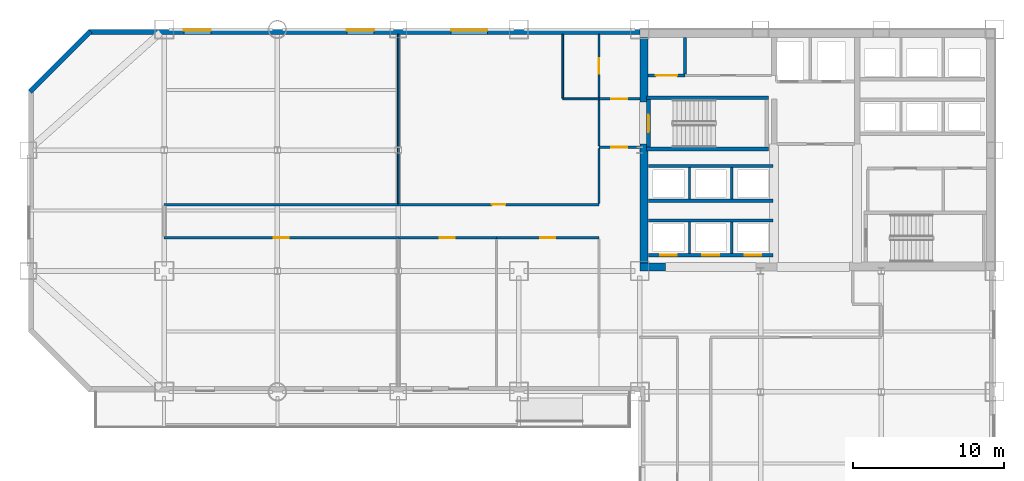
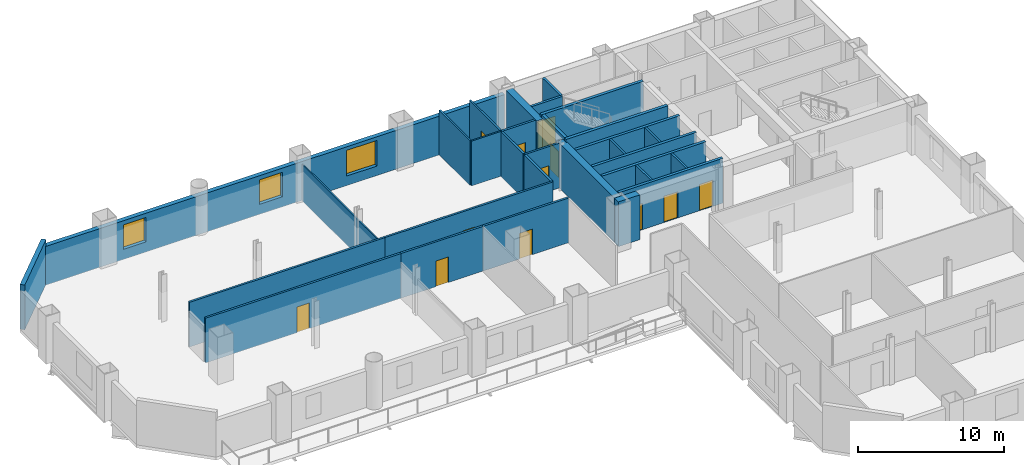
# One storey, part 6 of 9: 31 walls, 12 doors, 3 windows, 15 openings.
"""IFC4 building model written with IfcOpenShell, lengths in metres."""

from ifc_helpers import new_model, si_unit, direction, frame, frame_2d, origin, place, context, subcontext, project, spatial, rectangle, extrude, material, layer, layer_set, type_object, element, fill, save


model = new_model("IFC4")

# Units and contexts
model_context = context("Model", 3, precision=1e-05, world=origin(), true_north=direction((0.0, 1.0)))
body_context = subcontext(model_context, "Body", "Model", "MODEL_VIEW")
ifc_project = project(units=[si_unit("LENGTHUNIT", "METRE"), si_unit("AREAUNIT", "SQUARE_METRE"), si_unit("VOLUMEUNIT", "CUBIC_METRE"), si_unit("PLANEANGLEUNIT", "RADIAN"), si_unit("MASSUNIT", "GRAM", prefix="KILO")], contexts=[model_context])

# Site, building, storey
site_placement = place(None, origin())
site = spatial("IfcSite", under=ifc_project, at=site_placement, CompositionType="ELEMENT")
building_placement = place(site_placement, origin())
building = spatial("IfcBuilding", under=site, at=building_placement, Name="Qianrong Seaharbour Tower", CompositionType="ELEMENT")
storey_placement = place(building_placement, frame((0.0, 0.0, 64.199951171875)))
storey = spatial("IfcBuildingStorey", under=building, at=storey_placement, Name="L15", CompositionType="ELEMENT", Elevation=64.199951171875)

# Walls
ifc_material_1 = material(Name="Concrete C70/85", Category="concrete")
ifc_layer_1 = layer(ifc_material_1, 0.5400390625)
ifc_layer_set_1 = layer_set([ifc_layer_1], Name="Concrete C70/85")
wall_type_1 = type_object("IfcWallType", Name="WALL-CORE-540", PredefinedType="SHEAR", material=ifc_layer_set_1)
wall_1_placement = place(storey_placement, frame((40.77001953125, 36.5400390625, 0.0), z_axis=(0.0, 0.0, 1.0), x_axis=(0.0, 1.0, 0.0)))
element("IfcWall", 1, at=wall_1_placement, inside=storey, type_object=wall_type_1, Name="L15 West Core Shear Wall South", PredefinedType="SHEAR", context=body_context, shape_type="SweptSolid", body=[
    extrude(rectangle(XDim=7.85986328125, YDim=0.5400390625, at=frame_2d((3.929931640625, 0.0))), origin(), (0.0, 0.0, 1.0), 3.75),
])
wall_2_placement = place(storey_placement, frame((40.77001953125, 47.199951171875, 0.0), z_axis=(0.0, 0.0, 1.0), x_axis=(0.0, 1.0, 0.0)))
element("IfcWall", 2, at=wall_2_placement, inside=storey, type_object=wall_type_1, Name="L15 West Core Shear Wall North", PredefinedType="SHEAR", context=body_context, shape_type="SweptSolid", body=[
    extrude(rectangle(XDim=4.260009765625, YDim=0.5400390625, at=frame_2d((2.1298828125, 0.0))), origin(), (0.0, 0.0, 1.0), 3.75),
])
wall_3_placement = place(storey_placement, frame((40.5, 36.27001953125, 0.0), z_axis=(0.0, 0.0, 1.0), x_axis=(1.0, 0.0, 0.0)))
element("IfcWall", 3, at=wall_3_placement, inside=storey, type_object=wall_type_1, Name="L15 South Core Shear Wall S1", PredefinedType="SHEAR", context=body_context, shape_type="SweptSolid", body=[
    extrude(rectangle(XDim=1.699951171875, YDim=0.5400390625, at=frame_2d((0.85009765625, 0.0))), origin(), (0.0, 0.0, 1.0), 3.75),
])

# Wall, opening, door
ifc_material_2 = material(Name="Fire-rated acoustic gypsum board partition")
ifc_layer_2 = layer(ifc_material_2, 0.1650390625)
ifc_layer_set_2 = layer_set([ifc_layer_2], Name="Fire-rated acoustic gypsum board partition")
wall_type_2 = type_object("IfcWallType", Name="WALL-CORR-PART-165", PredefinedType="PARTITIONING", material=ifc_layer_set_2)
wall_4_placement = place(storey_placement, frame((37.800048828125, 47.39990234375, 0.0), z_axis=(0.0, 0.0, 1.0), x_axis=(1.0, 0.0, 0.0)))
wall_4 = element("IfcWall", 4, at=wall_4_placement, inside=storey, type_object=wall_type_2, Name="L15 Interior Partition Wall 001", PredefinedType="PARTITIONING", context=body_context, shape_type="SweptSolid", body=[
    extrude(rectangle(XDim=2.699951171875, YDim=0.1650390625, at=frame_2d((1.35009765625, 0.0))), origin(), (0.0, 0.0, 1.0), 3.75),
])
opening_1_placement = place(wall_4_placement, frame((0.824951171875, 0.0, 0.0)))
opening_1 = element("IfcOpeningElement", 5, at=opening_1_placement, cuts=wall_4, Name="Opening DC-01", PredefinedType="OPENING", context=body_context, shape_type="SweptSolid", body=[
    extrude(rectangle(XDim=1.050048828125, YDim=2.14990234375, at=frame_2d((0.52490234375, 1.074951171875))), frame((0.0, 0.092529296875, 0.0), z_axis=(0.0, -1.0, 0.0), x_axis=(1.0, 0.0, 0.0)), (0.0, 0.0, 1.0), 0.18505859375),
])
ifc_material_3 = material(Name="Acoustic timber and galvanized steel fire door assembly", Category="steel")
door_type_1 = type_object("IfcDoorType", Name="DOOR-CORR-FD60-1050x2150", OperationType="NOTDEFINED", PredefinedType="DOOR", material=ifc_material_3)
door_1_placement = place(opening_1_placement, origin())
door_1 = element("IfcDoor", 6, at=door_1_placement, inside=storey, type_object=door_type_1, Name="L15 Smokeproof Stair Vestibule ST-1 Door", OperationType="SINGLE_SWING_LEFT", OverallHeight=2.14990234375, OverallWidth=1.050048828125, PredefinedType="DOOR", context=body_context, shape_type="SweptSolid", body=[
    extrude(rectangle(XDim=1.050048828125, YDim=2.14990234375, at=frame_2d((0.52490234375, 1.074951171875))), frame((0.0, 0.02490234375, 0.0), z_axis=(0.0, -1.0, 0.0), x_axis=(1.0, 0.0, 0.0)), (0.0, 0.0, 1.0), 0.050048828125),
])
fill(opening_1, door_1)

wall_5_placement = place(storey_placement, frame((40.5, 44.199951171875, 0.0), z_axis=(0.0, 0.0, 1.0), x_axis=(-1.0, 0.0, 0.0)))
wall_5 = element("IfcWall", 7, at=wall_5_placement, inside=storey, type_object=wall_type_2, Name="L15 Interior Partition Wall 002", PredefinedType="PARTITIONING", context=body_context, shape_type="SweptSolid", body=[
    extrude(rectangle(XDim=2.699951171875, YDim=0.1650390625, at=frame_2d((1.35009765625, 0.0))), origin(), (0.0, 0.0, 1.0), 3.75),
])
opening_2_placement = place(wall_5_placement, frame((0.824951171875, 0.0, 0.0)))
opening_2 = element("IfcOpeningElement", 8, at=opening_2_placement, cuts=wall_5, Name="Opening DC-01", PredefinedType="OPENING", context=body_context, shape_type="SweptSolid", body=[
    extrude(rectangle(XDim=1.050048828125, YDim=2.14990234375, at=frame_2d((0.52490234375, 1.074951171875))), frame((0.0, 0.092529296875, 0.0), z_axis=(0.0, -1.0, 0.0), x_axis=(1.0, 0.0, 0.0)), (0.0, 0.0, 1.0), 0.18505859375),
])
door_2_placement = place(opening_2_placement, origin())
door_2 = element("IfcDoor", 9, at=door_2_placement, inside=storey, type_object=door_type_1, Name="L15 Smokeproof Stair Vestibule ST-1 Door", OperationType="SINGLE_SWING_RIGHT", OverallHeight=2.14990234375, OverallWidth=1.050048828125, PredefinedType="DOOR", context=body_context, shape_type="SweptSolid", body=[
    extrude(rectangle(XDim=1.050048828125, YDim=2.14990234375, at=frame_2d((0.52490234375, 1.074951171875))), frame((0.0, 0.02490234375, 0.0), z_axis=(0.0, -1.0, 0.0), x_axis=(1.0, 0.0, 0.0)), (0.0, 0.0, 1.0), 0.050048828125),
])
fill(opening_2, door_2)

# Wall
wall_6_placement = place(storey_placement, frame((37.800048828125, 44.2744140625, 0.0), z_axis=(0.0, 0.0, 1.0), x_axis=(0.0, 1.0, 0.0)))
element("IfcWall", 10, at=wall_6_placement, inside=storey, type_object=wall_type_2, Name="L15 Interior Partition Wall 003", PredefinedType="PARTITIONING", context=body_context, shape_type="SweptSolid", body=[
    extrude(rectangle(XDim=3.051025390625, YDim=0.1650390625, at=frame_2d((1.525390625, 0.0))), origin(), (0.0, 0.0, 1.0), 3.75),
])

# Wall, opening, door
wall_7_placement = place(storey_placement, frame((24.5, 38.199951171875, 0.0), z_axis=(0.0, 0.0, 1.0), x_axis=(-1.0, 0.0, 0.0)))
wall_7 = element("IfcWall", 11, at=wall_7_placement, inside=storey, type_object=wall_type_2, Name="L15 Interior Partition Wall 015", PredefinedType="PARTITIONING", context=body_context, shape_type="SweptSolid", body=[
    extrude(rectangle(XDim=15.5, YDim=0.1650390625, at=frame_2d((7.75, 0.0))), origin(), (0.0, 0.0, 1.0), 3.75),
])
opening_3_placement = place(wall_7_placement, frame((7.25, 0.0, 0.0)))
opening_3 = element("IfcOpeningElement", 12, at=opening_3_placement, cuts=wall_7, Name="Opening DO-01", PredefinedType="OPENING", context=body_context, shape_type="SweptSolid", body=[
    extrude(rectangle(XDim=1.0, YDim=2.14990234375, at=frame_2d((0.5, 1.074951171875))), frame((0.0, 0.092529296875, 0.0), z_axis=(0.0, -1.0, 0.0), x_axis=(1.0, 0.0, 0.0)), (0.0, 0.0, 1.0), 0.18505859375),
])
door_type_2 = type_object("IfcDoorType", Name="DOOR-OFFICE-1000x2150", OperationType="NOTDEFINED", PredefinedType="DOOR", material=ifc_material_3)
door_3_placement = place(opening_3_placement, origin())
door_3 = element("IfcDoor", 13, at=door_3_placement, inside=storey, type_object=door_type_2, Name="L15 West Harbour Open-Plan Office Door", OperationType="SINGLE_SWING_LEFT", OverallHeight=2.14990234375, OverallWidth=1.0, PredefinedType="DOOR", context=body_context, shape_type="SweptSolid", body=[
    extrude(rectangle(XDim=1.0, YDim=2.14990234375, at=frame_2d((0.5, 1.074951171875))), frame((0.0, 0.02490234375, 0.0), z_axis=(0.0, -1.0, 0.0), x_axis=(1.0, 0.0, 0.0)), (0.0, 0.0, 1.0), 0.050048828125),
])
fill(opening_3, door_3)

# Wall
wall_8_placement = place(storey_placement, frame((9.0, 40.39990234375, 0.0), z_axis=(0.0, 0.0, 1.0), x_axis=(1.0, 0.0, 0.0)))
element("IfcWall", 14, at=wall_8_placement, inside=storey, type_object=wall_type_2, Name="L15 Interior Partition Wall 017", PredefinedType="PARTITIONING", context=body_context, shape_type="SweptSolid", body=[
    extrude(rectangle(XDim=15.5, YDim=0.1650390625, at=frame_2d((7.75, 0.0))), origin(), (0.0, 0.0, 1.0), 3.75),
])

# Wall, opening, door
wall_9_placement = place(storey_placement, frame((24.5, 40.39990234375, 0.0), z_axis=(0.0, 0.0, 1.0), x_axis=(1.0, 0.0, 0.0)))
wall_9 = element("IfcWall", 15, at=wall_9_placement, inside=storey, type_object=wall_type_2, Name="L15 Interior Partition Wall 018", PredefinedType="PARTITIONING", context=body_context, shape_type="SweptSolid", body=[
    extrude(rectangle(XDim=13.300048828125, YDim=0.1650390625, at=frame_2d((6.64990234375, 0.0))), origin(), (0.0, 0.0, 1.0), 3.75),
])
opening_4_placement = place(wall_9_placement, frame((6.199951171875, 0.0, 0.0)))
opening_4 = element("IfcOpeningElement", 16, at=opening_4_placement, cuts=wall_9, Name="Opening DS-01", PredefinedType="OPENING", context=body_context, shape_type="SweptSolid", body=[
    extrude(rectangle(XDim=0.89990234375, YDim=2.14990234375, at=frame_2d((0.449951171875, 1.074951171875))), frame((0.0, 0.092529296875, 0.0), z_axis=(0.0, -1.0, 0.0), x_axis=(1.0, 0.0, 0.0)), (0.0, 0.0, 1.0), 0.18505859375),
])
door_type_3 = type_object("IfcDoorType", Name="DOOR-STORE-900x2150", OperationType="NOTDEFINED", PredefinedType="DOOR", material=ifc_material_3)
door_4_placement = place(opening_4_placement, origin())
door_4 = element("IfcDoor", 17, at=door_4_placement, inside=storey, type_object=door_type_3, Name="L15 Corporate Archive Room Door", OperationType="SINGLE_SWING_RIGHT", OverallHeight=2.14990234375, OverallWidth=0.89990234375, PredefinedType="DOOR", context=body_context, shape_type="SweptSolid", body=[
    extrude(rectangle(XDim=0.89990234375, YDim=2.14990234375, at=frame_2d((0.449951171875, 1.074951171875))), frame((0.0, 0.02490234375, 0.0), z_axis=(0.0, -1.0, 0.0), x_axis=(1.0, 0.0, 0.0)), (0.0, 0.0, 1.0), 0.050048828125),
])
fill(opening_4, door_4)

wall_10_placement = place(storey_placement, frame((31.0, 38.199951171875, 0.0), z_axis=(0.0, 0.0, 1.0), x_axis=(-1.0, 0.0, 0.0)))
wall_10 = element("IfcWall", 18, at=wall_10_placement, inside=storey, type_object=wall_type_2, Name="L15 Interior Partition Wall 019", PredefinedType="PARTITIONING", context=body_context, shape_type="SweptSolid", body=[
    extrude(rectangle(XDim=6.5, YDim=0.1650390625, at=frame_2d((3.25, 0.0))), origin(), (0.0, 0.0, 1.0), 3.75),
])
opening_5_placement = place(wall_10_placement, frame((2.75, 0.0, 0.0)))
opening_5 = element("IfcOpeningElement", 19, at=opening_5_placement, cuts=wall_10, Name="Opening DO-01", PredefinedType="OPENING", context=body_context, shape_type="SweptSolid", body=[
    extrude(rectangle(XDim=1.0, YDim=2.14990234375, at=frame_2d((0.5, 1.074951171875))), frame((0.0, 0.092529296875, 0.0), z_axis=(0.0, -1.0, 0.0), x_axis=(1.0, 0.0, 0.0)), (0.0, 0.0, 1.0), 0.18505859375),
])
door_5_placement = place(opening_5_placement, origin())
door_5 = element("IfcDoor", 20, at=door_5_placement, inside=storey, type_object=door_type_2, Name="L15 Project Library 1 Door", OperationType="SINGLE_SWING_LEFT", OverallHeight=2.14990234375, OverallWidth=1.0, PredefinedType="DOOR", context=body_context, shape_type="SweptSolid", body=[
    extrude(rectangle(XDim=1.0, YDim=2.14990234375, at=frame_2d((0.5, 1.074951171875))), frame((0.0, 0.02490234375, 0.0), z_axis=(0.0, -1.0, 0.0), x_axis=(1.0, 0.0, 0.0)), (0.0, 0.0, 1.0), 0.050048828125),
])
fill(opening_5, door_5)

wall_11_placement = place(storey_placement, frame((37.800048828125, 38.199951171875, 0.0), z_axis=(0.0, 0.0, 1.0), x_axis=(-1.0, 0.0, 0.0)))
wall_11 = element("IfcWall", 21, at=wall_11_placement, inside=storey, type_object=wall_type_2, Name="L15 Interior Partition Wall 020", PredefinedType="PARTITIONING", context=body_context, shape_type="SweptSolid", body=[
    extrude(rectangle(XDim=6.800048828125, YDim=0.1650390625, at=frame_2d((3.39990234375, 0.0))), origin(), (0.0, 0.0, 1.0), 3.75),
])
opening_6_placement = place(wall_11_placement, frame((2.89990234375, 0.0, 0.0)))
opening_6 = element("IfcOpeningElement", 22, at=opening_6_placement, cuts=wall_11, Name="Opening DO-01", PredefinedType="OPENING", context=body_context, shape_type="SweptSolid", body=[
    extrude(rectangle(XDim=1.0, YDim=2.14990234375, at=frame_2d((0.5, 1.074951171875))), frame((0.0, 0.092529296875, 0.0), z_axis=(0.0, -1.0, 0.0), x_axis=(1.0, 0.0, 0.0)), (0.0, 0.0, 1.0), 0.18505859375),
])
door_6_placement = place(opening_6_placement, origin())
door_6 = element("IfcDoor", 23, at=door_6_placement, inside=storey, type_object=door_type_2, Name="L15 Digital Media Hall 2 Door", OperationType="SINGLE_SWING_RIGHT", OverallHeight=2.14990234375, OverallWidth=1.0, PredefinedType="DOOR", context=body_context, shape_type="SweptSolid", body=[
    extrude(rectangle(XDim=1.0, YDim=2.14990234375, at=frame_2d((0.5, 1.074951171875))), frame((0.0, 0.02490234375, 0.0), z_axis=(0.0, -1.0, 0.0), x_axis=(1.0, 0.0, 0.0)), (0.0, 0.0, 1.0), 0.050048828125),
])
fill(opening_6, door_6)

# Walls
wall_12_placement = place(storey_placement, frame((37.800048828125, 40.474609375, 0.0), z_axis=(0.0, 0.0, 1.0), x_axis=(0.0, 1.0, 0.0)))
element("IfcWall", 24, at=wall_12_placement, inside=storey, type_object=wall_type_2, Name="L15 Interior Partition Wall 021", PredefinedType="PARTITIONING", context=body_context, shape_type="SweptSolid", body=[
    extrude(rectangle(XDim=3.65087890625, YDim=0.1650390625, at=frame_2d((1.825439453125, 0.0))), origin(), (0.0, 0.0, 1.0), 3.75),
])
ifc_material_4 = material(Name="Demountable aluminium-framed acoustic office partition", Category="aluminium")
ifc_layer_3 = layer(ifc_material_4, 0.110107421875)
ifc_layer_set_3 = layer_set([ifc_layer_3], Name="Demountable aluminium-framed acoustic office partition")
wall_type_3 = type_object("IfcWallType", Name="WALL-DEMOUNT-110", PredefinedType="MOVABLE", material=ifc_layer_set_3)
wall_13_placement = place(storey_placement, frame((24.5, 51.66796875, 0.0), z_axis=(0.0, 0.0, 1.0), x_axis=(0.0, -1.0, 0.0)))
element("IfcWall", 25, at=wall_13_placement, inside=storey, type_object=wall_type_3, Name="L15 Interior Partition Wall 036", PredefinedType="MOVABLE", context=body_context, shape_type="SweptSolid", body=[
    extrude(rectangle(XDim=11.193359375, YDim=0.110107421875, at=frame_2d((5.5966796875, 0.0))), origin(), (0.0, 0.0, 1.0), 3.0419921875),
])
ifc_material_5 = material(Name="Unitised buff brick on Precast concrete C45/55", Category="masonry")
ifc_layer_4 = layer(ifc_material_5, 0.340087890625)
ifc_layer_set_4 = layer_set([ifc_layer_4], Name="Unitised buff brick on Precast concrete C45/55")
wall_type_4 = type_object("IfcWallType", Name="WALL-EXT-BRICK-BUFF-340", PredefinedType="SOLIDWALL", material=ifc_layer_set_4)
wall_14_placement = place(storey_placement, frame((0.1201171875, 47.8798828125, 0.0), z_axis=(0.0, 0.0, 1.0), x_axis=(0.707106781187, 0.707106781187, 0.0)))
element("IfcWall", 26, at=wall_14_placement, inside=storey, type_object=wall_type_4, Name="L15 Exterior Masonry Facade Wall E04", PredefinedType="SOLIDWALL", context=body_context, shape_type="SweptSolid", body=[
    extrude(rectangle(XDim=5.65673828125, YDim=0.340087890625, at=frame_2d((2.828369140625, 0.0))), origin(), (0.0, 0.0, 1.0), 3.75),
])

# Wall, openings, windows
wall_15_placement = place(storey_placement, frame((4.0, 51.830078125, 0.0), z_axis=(0.0, 0.0, 1.0), x_axis=(1.0, 0.0, 0.0)))
wall_15 = element("IfcWall", 27, at=wall_15_placement, inside=storey, type_object=wall_type_4, Name="L15 Exterior Masonry Facade Wall NORTH_WING", PredefinedType="SOLIDWALL", context=body_context, shape_type="SweptSolid", body=[
    extrude(rectangle(XDim=36.52001953125, YDim=0.340087890625, at=frame_2d((18.260009765625, 0.0))), origin(), (0.0, 0.0, 1.0), 3.25),
])
opening_7_placement = place(wall_15_placement, frame((6.300048828125, 0.0, 0.85009765625)))
opening_7 = element("IfcOpeningElement", 28, at=opening_7_placement, cuts=wall_15, Name="Opening WN-05", PredefinedType="OPENING", context=body_context, shape_type="SweptSolid", body=[
    extrude(rectangle(XDim=1.800048828125, YDim=2.050048828125, at=frame_2d((0.89990234375, 1.02490234375))), frame((0.0, 0.18017578125, 0.0), z_axis=(0.0, -1.0, 0.0), x_axis=(1.0, 0.0, 0.0)), (0.0, 0.0, 1.0), 0.360107421875),
])
opening_8_placement = place(wall_15_placement, frame((17.10009765625, 0.0, 0.85009765625)))
opening_8 = element("IfcOpeningElement", 29, at=opening_8_placement, cuts=wall_15, Name="Opening WN-05", PredefinedType="OPENING", context=body_context, shape_type="SweptSolid", body=[
    extrude(rectangle(XDim=1.800048828125, YDim=2.050048828125, at=frame_2d((0.89990234375, 1.02490234375))), frame((0.0, 0.18017578125, 0.0), z_axis=(0.0, -1.0, 0.0), x_axis=(1.0, 0.0, 0.0)), (0.0, 0.0, 1.0), 0.360107421875),
])
opening_9_placement = place(wall_15_placement, frame((24.0, 0.0, 0.800048828125)))
opening_9 = element("IfcOpeningElement", 30, at=opening_9_placement, cuts=wall_15, Name="Opening WN-07", PredefinedType="OPENING", context=body_context, shape_type="SweptSolid", body=[
    extrude(rectangle(XDim=2.39990234375, YDim=2.14990234375, at=frame_2d((1.199951171875, 1.074951171875))), frame((0.0, 0.18017578125, 0.0), z_axis=(0.0, -1.0, 0.0), x_axis=(1.0, 0.0, 0.0)), (0.0, 0.0, 1.0), 0.360107421875),
])
ifc_material_6 = material(Name="Insulated low-e double glazing in thermally broken aluminium 6063-T6 frame", Category="aluminium")
window_type_1 = type_object("IfcWindowType", Name="WIN-PUNCH-1800x2050", PartitioningType="TRIPLE_PANEL_VERTICAL", PredefinedType="WINDOW", material=ifc_material_6)
window_1_placement = place(opening_7_placement, origin())
window_1 = element("IfcWindow", 31, at=window_1_placement, inside=storey, type_object=window_type_1, Name="L15 Deep-Set Punched Window 05.02", OverallHeight=2.050048828125, OverallWidth=1.800048828125, PartitioningType="TRIPLE_PANEL_VERTICAL", PredefinedType="WINDOW", context=body_context, shape_type="SweptSolid", body=[
    extrude(rectangle(XDim=1.800048828125, YDim=2.050048828125, at=frame_2d((0.89990234375, 1.02490234375))), frame((0.0, 0.150146484375, 0.0), z_axis=(0.0, -1.0, 0.0), x_axis=(1.0, 0.0, 0.0)), (0.0, 0.0, 1.0), 0.06005859375),
])
fill(opening_7, window_1)
window_2_placement = place(opening_8_placement, origin())
window_2 = element("IfcWindow", 32, at=window_2_placement, inside=storey, type_object=window_type_1, Name="L15 Deep-Set Punched Window 05.05", OverallHeight=2.050048828125, OverallWidth=1.800048828125, PartitioningType="TRIPLE_PANEL_VERTICAL", PredefinedType="WINDOW", context=body_context, shape_type="SweptSolid", body=[
    extrude(rectangle(XDim=1.800048828125, YDim=2.050048828125, at=frame_2d((0.89990234375, 1.02490234375))), frame((0.0, 0.150146484375, 0.0), z_axis=(0.0, -1.0, 0.0), x_axis=(1.0, 0.0, 0.0)), (0.0, 0.0, 1.0), 0.06005859375),
])
fill(opening_8, window_2)
window_type_2 = type_object("IfcWindowType", Name="WIN-PUNCH-2400x2150", PartitioningType="TRIPLE_PANEL_VERTICAL", PredefinedType="WINDOW", material=ifc_material_6)
window_3_placement = place(opening_9_placement, origin())
window_3 = element("IfcWindow", 33, at=window_3_placement, inside=storey, type_object=window_type_2, Name="L15 Deep-Set Punched Window 05.07", OverallHeight=2.14990234375, OverallWidth=2.39990234375, PartitioningType="TRIPLE_PANEL_VERTICAL", PredefinedType="WINDOW", context=body_context, shape_type="SweptSolid", body=[
    extrude(rectangle(XDim=2.39990234375, YDim=2.14990234375, at=frame_2d((1.199951171875, 1.074951171875))), frame((0.0, 0.150146484375, 0.0), z_axis=(0.0, -1.0, 0.0), x_axis=(1.0, 0.0, 0.0)), (0.0, 0.0, 1.0), 0.06005859375),
])
fill(opening_9, window_3)

# Wall, opening, door
ifc_material_7 = material(Name="Double fire-rated gypsum board acoustic partition")
ifc_layer_5 = layer(ifc_material_7, 0.18994140625)
ifc_layer_set_5 = layer_set([ifc_layer_5], Name="Double fire-rated gypsum board acoustic partition")
wall_type_5 = type_object("IfcWallType", Name="WALL-FIRE-PART-190", PredefinedType="PARTITIONING", material=ifc_layer_set_5)
wall_16_placement = place(storey_placement, frame((41.0400390625, 48.949951171875, 0.0), z_axis=(0.0, 0.0, 1.0), x_axis=(1.0, 0.0, 0.0)))
wall_16 = element("IfcWall", 34, at=wall_16_placement, inside=storey, type_object=wall_type_5, Name="L15 Interior Partition Wall 007", PredefinedType="PARTITIONING", context=body_context, shape_type="SweptSolid", body=[
    extrude(rectangle(XDim=2.4599609375, YDim=0.18994140625, at=frame_2d((1.22998046875, 0.0))), origin(), (0.0, 0.0, 1.0), 3.75),
])
opening_10_placement = place(wall_16_placement, frame((0.530029296875, 0.0, 0.0)))
opening_10 = element("IfcOpeningElement", 35, at=opening_10_placement, cuts=wall_16, Name="Opening DP-01", PredefinedType="OPENING", context=body_context, shape_type="SweptSolid", body=[
    extrude(rectangle(XDim=1.39990234375, YDim=2.25, at=frame_2d((0.699951171875, 1.125))), frame((0.0, 0.10498046875, 0.0), z_axis=(0.0, -1.0, 0.0), x_axis=(1.0, 0.0, 0.0)), (0.0, 0.0, 1.0), 0.2099609375),
])
door_type_4 = type_object("IfcDoorType", Name="DOOR-PLANT-PAIR-1400x2250", OperationType="DOUBLE_DOOR_SINGLE_SWING", PredefinedType="DOOR", material=ifc_material_3)
door_7_placement = place(opening_10_placement, origin())
door_7 = element("IfcDoor", 36, at=door_7_placement, inside=storey, type_object=door_type_4, Name="L15 Core Electrical Closet Door", OperationType="DOUBLE_DOOR_SINGLE_SWING", OverallHeight=2.25, OverallWidth=1.39990234375, PredefinedType="DOOR", context=body_context, shape_type="SweptSolid", body=[
    extrude(rectangle(XDim=1.39990234375, YDim=2.25, at=frame_2d((0.699951171875, 1.125))), frame((0.0, 0.02490234375, 0.0), z_axis=(0.0, -1.0, 0.0), x_axis=(1.0, 0.0, 0.0)), (0.0, 0.0, 1.0), 0.050048828125),
])
fill(opening_10, door_7)

# Walls
wall_17_placement = place(storey_placement, frame((43.5, 51.4599609375, 0.0), z_axis=(0.0, 0.0, 1.0), x_axis=(0.0, -1.0, 0.0)))
element("IfcWall", 37, at=wall_17_placement, inside=storey, type_object=wall_type_5, Name="L15 Interior Partition Wall 013", PredefinedType="PARTITIONING", context=body_context, shape_type="SweptSolid", body=[
    extrude(rectangle(XDim=2.4228515625, YDim=0.18994140625, at=frame_2d((1.21142578125, 0.0))), origin(), (0.0, 0.0, 1.0), 3.75),
])
ifc_material_8 = material(Name="Fire-rated gypsum board on steel studs", Category="steel")
ifc_layer_6 = layer(ifc_material_8, 0.14990234375)
ifc_layer_set_6 = layer_set([ifc_layer_6], Name="Fire-rated gypsum board on steel studs")
wall_type_6 = type_object("IfcWallType", Name="WALL-SHAFT-DIV-150", PredefinedType="PARTITIONING", material=ifc_layer_set_6)
for number, where, z_axis, x_axis, name in (
    (38, (43.800048828125, 37.159912109375, 0.0), (0.0, 0.0, 1.0), (0.0, 1.0, 0.0), "L15 P1 Lift Hoistway Divider 2"),
    (39, (46.60009765625, 37.159912109375, 0.0), (0.0, 0.0, 1.0), (0.0, 1.0, 0.0), "L15 P1 Lift Hoistway Divider 3"),
    (40, (43.800048828125, 40.760009765625, 0.0), (0.0, 0.0, 1.0), (0.0, 1.0, 0.0), "L15 P2 Lift Hoistway Divider 2"),
    (41, (46.60009765625, 40.760009765625, 0.0), (0.0, 0.0, 1.0), (0.0, 1.0, 0.0), "L15 P2 Lift Hoistway Divider 3"),
):
    element("IfcWall", number, at=place(storey_placement, frame(where, z_axis=z_axis, x_axis=x_axis)), inside=storey, type_object=wall_type_6, Name=name, PredefinedType="PARTITIONING", context=body_context, shape_type="SweptSolid", body=[
        extrude(rectangle(XDim=2.080078125, YDim=0.14990234375, at=frame_2d((1.0400390625, 0.0))), origin(), (0.0, 0.0, 1.0), 3.75),
    ])

# Wall, openings, doors
ifc_layer_7 = layer(ifc_material_8, 0.219970703125)
ifc_layer_set_7 = layer_set([ifc_layer_7], Name="Fire-rated gypsum board on steel studs")
wall_type_7 = type_object("IfcWallType", Name="WALL-SHAFT-GYP220", PredefinedType="PARTITIONING", material=ifc_layer_set_7)
wall_18_placement = place(storey_placement, frame((49.320068359375, 37.050048828125, 0.0), z_axis=(0.0, 0.0, 1.0), x_axis=(-1.0, 0.0, 0.0)))
wall_18 = element("IfcWall", 42, at=wall_18_placement, inside=storey, type_object=wall_type_7, Name="L15 P1 Lift Hoistway Front Wall", PredefinedType="PARTITIONING", context=body_context, shape_type="SweptSolid", body=[
    extrude(rectangle(XDim=8.239990234375, YDim=0.219970703125, at=frame_2d((4.1201171875, 0.0))), origin(), (0.0, 0.0, 1.0), 3.75),
])
opening_11_placement = place(wall_18_placement, frame((6.3701171875, 0.0, 0.0)))
opening_11 = element("IfcOpeningElement", 43, at=opening_11_placement, cuts=wall_18, Name="Opening LD-02", PredefinedType="OPENING", context=body_context, shape_type="SweptSolid", body=[
    extrude(rectangle(XDim=1.10009765625, YDim=2.199951171875, at=frame_2d((0.550048828125, 1.10009765625))), frame((0.0, 0.1201171875, 0.0), z_axis=(0.0, -1.0, 0.0), x_axis=(1.0, 0.0, 0.0)), (0.0, 0.0, 1.0), 0.239990234375),
])
opening_12_placement = place(wall_18_placement, frame((3.570068359375, 0.0, 0.0)))
opening_12 = element("IfcOpeningElement", 44, at=opening_12_placement, cuts=wall_18, Name="Opening LD-02", PredefinedType="OPENING", context=body_context, shape_type="SweptSolid", body=[
    extrude(rectangle(XDim=1.10009765625, YDim=2.199951171875, at=frame_2d((0.550048828125, 1.10009765625))), frame((0.0, 0.1201171875, 0.0), z_axis=(0.0, -1.0, 0.0), x_axis=(1.0, 0.0, 0.0)), (0.0, 0.0, 1.0), 0.239990234375),
])
opening_13_placement = place(wall_18_placement, frame((0.77001953125, 0.0, 0.0)))
opening_13 = element("IfcOpeningElement", 45, at=opening_13_placement, cuts=wall_18, Name="Opening LD-02", PredefinedType="OPENING", context=body_context, shape_type="SweptSolid", body=[
    extrude(rectangle(XDim=1.10009765625, YDim=2.199951171875, at=frame_2d((0.550048828125, 1.10009765625))), frame((0.0, 0.1201171875, 0.0), z_axis=(0.0, -1.0, 0.0), x_axis=(1.0, 0.0, 0.0)), (0.0, 0.0, 1.0), 0.239990234375),
])
ifc_material_9 = material(Name="Stainless steel SUS316L bi-parting lift landing door", Category="steel")
door_type_5 = type_object("IfcDoorType", Name="DOOR-LIFT-PASS-1100x2200", OperationType="DOUBLE_DOOR_SLIDING", PredefinedType="DOOR", material=ifc_material_9)
door_8_placement = place(opening_11_placement, origin())
door_8 = element("IfcDoor", 46, at=door_8_placement, inside=storey, type_object=door_type_5, Name="L15 PL-1A Lift Landing Door", OperationType="DOUBLE_DOOR_SLIDING", OverallHeight=2.199951171875, OverallWidth=1.10009765625, PredefinedType="DOOR", context=body_context, shape_type="SweptSolid", body=[
    extrude(rectangle(XDim=1.10009765625, YDim=2.199951171875, at=frame_2d((0.550048828125, 1.10009765625))), frame((0.0, 0.02490234375, 0.0), z_axis=(0.0, -1.0, 0.0), x_axis=(1.0, 0.0, 0.0)), (0.0, 0.0, 1.0), 0.050048828125),
])
fill(opening_11, door_8)
door_9_placement = place(opening_12_placement, origin())
door_9 = element("IfcDoor", 47, at=door_9_placement, inside=storey, type_object=door_type_5, Name="L15 PL-1B Lift Landing Door", OperationType="DOUBLE_DOOR_SLIDING", OverallHeight=2.199951171875, OverallWidth=1.10009765625, PredefinedType="DOOR", context=body_context, shape_type="SweptSolid", body=[
    extrude(rectangle(XDim=1.10009765625, YDim=2.199951171875, at=frame_2d((0.550048828125, 1.10009765625))), frame((0.0, 0.02490234375, 0.0), z_axis=(0.0, -1.0, 0.0), x_axis=(1.0, 0.0, 0.0)), (0.0, 0.0, 1.0), 0.050048828125),
])
fill(opening_12, door_9)
door_10_placement = place(opening_13_placement, origin())
door_10 = element("IfcDoor", 48, at=door_10_placement, inside=storey, type_object=door_type_5, Name="L15 PL-1C Lift Landing Door", OperationType="DOUBLE_DOOR_SLIDING", OverallHeight=2.199951171875, OverallWidth=1.10009765625, PredefinedType="DOOR", context=body_context, shape_type="SweptSolid", body=[
    extrude(rectangle(XDim=1.10009765625, YDim=2.199951171875, at=frame_2d((0.550048828125, 1.10009765625))), frame((0.0, 0.02490234375, 0.0), z_axis=(0.0, -1.0, 0.0), x_axis=(1.0, 0.0, 0.0)), (0.0, 0.0, 1.0), 0.050048828125),
])
fill(opening_13, door_10)

# Walls
for number, where, z_axis, x_axis, name in (
    (49, (41.080078125, 39.35009765625, 0.0), (0.0, 0.0, 1.0), (1.0, 0.0, 0.0), "L15 P1 Lift Hoistway Back Wall"),
    (50, (49.320068359375, 40.64990234375, 0.0), (0.0, 0.0, 1.0), (-1.0, 0.0, 0.0), "L15 P2 Lift Hoistway Front Wall"),
    (51, (41.080078125, 42.949951171875, 0.0), (0.0, 0.0, 1.0), (1.0, 0.0, 0.0), "L15 P2 Lift Hoistway Back Wall"),
):
    element("IfcWall", number, at=place(storey_placement, frame(where, z_axis=z_axis, x_axis=x_axis)), inside=storey, type_object=wall_type_7, Name=name, PredefinedType="PARTITIONING", context=body_context, shape_type="SweptSolid", body=[
        extrude(rectangle(XDim=8.239990234375, YDim=0.219970703125, at=frame_2d((4.1201171875, 0.0))), origin(), (0.0, 0.0, 1.0), 3.75),
    ])
ifc_material_10 = material(Name="Concrete C50/60", Category="concrete")
ifc_layer_8 = layer(ifc_material_10, 0.239990234375)
ifc_layer_set_8 = layer_set([ifc_layer_8], Name="Concrete C50/60")
wall_type_8 = type_object("IfcWallType", Name="WALL-SHAFT-RC240", PredefinedType="SOLIDWALL", material=ifc_layer_set_8)
for number, where, z_axis, x_axis, name in (
    (52, (40.9599609375, 47.469970703125, 0.0), (0.0, 0.0, 1.0), (1.0, 0.0, 0.0), "L15 ST-1 Structural Stair Core Wall N"),
    (53, (49.0400390625, 44.080078125, 0.0), (0.0, 0.0, 1.0), (-1.0, 0.0, 0.0), "L15 ST-1 Structural Stair Core Wall S"),
):
    element("IfcWall", number, at=place(storey_placement, frame(where, z_axis=z_axis, x_axis=x_axis)), inside=storey, type_object=wall_type_8, Name=name, PredefinedType="SOLIDWALL", context=body_context, shape_type="SweptSolid", body=[
        extrude(rectangle(XDim=8.080078125, YDim=0.239990234375, at=frame_2d((4.0400390625, 0.0))), origin(), (0.0, 0.0, 1.0), 4.0),
    ])

# Wall, opening, door
wall_19_placement = place(storey_placement, frame((41.080078125, 47.35009765625, 0.0), z_axis=(0.0, 0.0, 1.0), x_axis=(0.0, -1.0, 0.0)))
wall_19 = element("IfcWall", 54, at=wall_19_placement, inside=storey, type_object=wall_type_8, Name="L15 ST-1 Structural Stair Core Wall W", PredefinedType="SOLIDWALL", context=body_context, shape_type="SweptSolid", body=[
    extrude(rectangle(XDim=3.150146484375, YDim=0.239990234375, at=frame_2d((1.5751953125, 0.0))), origin(), (0.0, 0.0, 1.0), 4.0),
])
opening_14_placement = place(wall_19_placement, frame((1.0, 0.0, 0.0)))
opening_14 = element("IfcOpeningElement", 55, at=opening_14_placement, cuts=wall_19, Name="Opening SD-01", PredefinedType="OPENING", context=body_context, shape_type="SweptSolid", body=[
    extrude(rectangle(XDim=1.14990234375, YDim=2.199951171875, at=frame_2d((0.574951171875, 1.10009765625))), frame((0.0, 0.1298828125, 0.0), z_axis=(0.0, -1.0, 0.0), x_axis=(1.0, 0.0, 0.0)), (0.0, 0.0, 1.0), 0.260009765625),
])
door_type_6 = type_object("IfcDoorType", Name="DOOR-STAIR-FD60-1150x2200", OperationType="NOTDEFINED", PredefinedType="DOOR", material=ifc_material_3)
door_11_placement = place(opening_14_placement, origin())
door_11 = element("IfcDoor", 56, at=door_11_placement, inside=storey, type_object=door_type_6, Name="L15 ST-1 Protected Stair Door", OperationType="SINGLE_SWING_RIGHT", OverallHeight=2.199951171875, OverallWidth=1.14990234375, PredefinedType="DOOR", context=body_context, shape_type="SweptSolid", body=[
    extrude(rectangle(XDim=1.14990234375, YDim=2.199951171875, at=frame_2d((0.574951171875, 1.10009765625))), frame((0.0, 0.02490234375, 0.0), z_axis=(0.0, -1.0, 0.0), x_axis=(1.0, 0.0, 0.0)), (0.0, 0.0, 1.0), 0.050048828125),
])
fill(opening_14, door_11)

ifc_material_11 = material(Name="Water-resistant cement board sanitary partition")
ifc_layer_9 = layer(ifc_material_11, 0.1298828125)
ifc_layer_set_9 = layer_set([ifc_layer_9], Name="Water-resistant cement board sanitary partition")
wall_type_9 = type_object("IfcWallType", Name="WALL-WET-PART-130", PredefinedType="PARTITIONING", material=ifc_layer_set_9)
wall_20_placement = place(storey_placement, frame((37.800048828125, 47.474609375, 0.0), z_axis=(0.0, 0.0, 1.0), x_axis=(0.0, 1.0, 0.0)))
wall_20 = element("IfcWall", 57, at=wall_20_placement, inside=storey, type_object=wall_type_9, Name="L15 Interior Partition Wall 004", PredefinedType="PARTITIONING", context=body_context, shape_type="SweptSolid", body=[
    extrude(rectangle(XDim=4.193359375, YDim=0.1298828125, at=frame_2d((2.0966796875, 0.0))), origin(), (0.0, 0.0, 1.0), 3.75),
])
opening_15_placement = place(wall_20_placement, frame((1.5869140625, 0.0, 0.0)))
opening_15 = element("IfcOpeningElement", 58, at=opening_15_placement, cuts=wall_20, Name="Opening DAW-01", PredefinedType="OPENING", context=body_context, shape_type="SweptSolid", body=[
    extrude(rectangle(XDim=1.02001953125, YDim=2.14990234375, at=frame_2d((0.510009765625, 1.074951171875))), frame((0.0, 0.074951171875, 0.0), z_axis=(0.0, -1.0, 0.0), x_axis=(1.0, 0.0, 0.0)), (0.0, 0.0, 1.0), 0.14990234375),
])
door_type_7 = type_object("IfcDoorType", Name="DOOR-AWC-SLIDE-1020x2150", OperationType="SLIDING_TO_LEFT", PredefinedType="DOOR", material=ifc_material_3)
door_12_placement = place(opening_15_placement, origin())
door_12 = element("IfcDoor", 59, at=door_12_placement, inside=storey, type_object=door_type_7, Name="L15 Accessible Restroom WC Door", OperationType="SLIDING_TO_LEFT", OverallHeight=2.14990234375, OverallWidth=1.02001953125, PredefinedType="DOOR", context=body_context, shape_type="SweptSolid", body=[
    extrude(rectangle(XDim=1.02001953125, YDim=2.14990234375, at=frame_2d((0.510009765625, 1.074951171875))), frame((0.0, 0.02490234375, 0.0), z_axis=(0.0, -1.0, 0.0), x_axis=(1.0, 0.0, 0.0)), (0.0, 0.0, 1.0), 0.050048828125),
])
fill(opening_15, door_12)

# Walls
wall_21_placement = place(storey_placement, frame((37.800048828125, 47.39990234375, 0.0), z_axis=(0.0, 0.0, 1.0), x_axis=(-1.0, 0.0, 0.0)))
element("IfcWall", 60, at=wall_21_placement, inside=storey, type_object=wall_type_9, Name="L15 Interior Partition Wall 005", PredefinedType="PARTITIONING", context=body_context, shape_type="SweptSolid", body=[
    extrude(rectangle(XDim=2.400146484375, YDim=0.1298828125, at=frame_2d((1.2001953125, 0.0))), origin(), (0.0, 0.0, 1.0), 3.75),
])
wall_22_placement = place(storey_placement, frame((35.39990234375, 47.45703125, 0.0), z_axis=(0.0, 0.0, 1.0), x_axis=(0.0, 1.0, 0.0)))
element("IfcWall", 61, at=wall_22_placement, inside=storey, type_object=wall_type_9, Name="L15 Interior Partition Wall 006", PredefinedType="PARTITIONING", context=body_context, shape_type="SweptSolid", body=[
    extrude(rectangle(XDim=4.2109375, YDim=0.1298828125, at=frame_2d((2.10546875, 0.0))), origin(), (0.0, 0.0, 1.0), 3.75),
])

save(model, "model.ifc")
